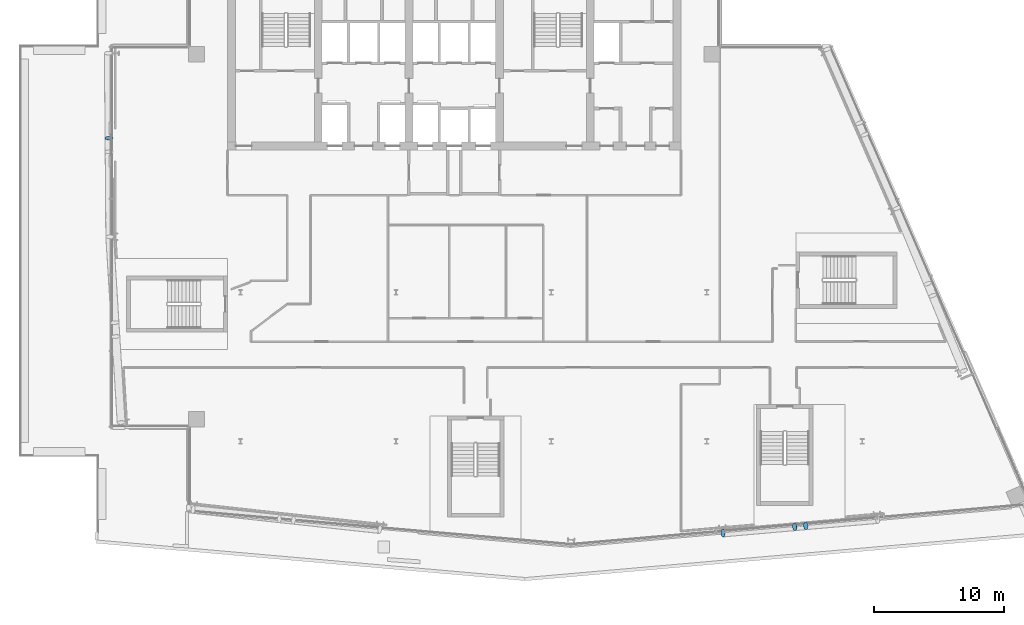
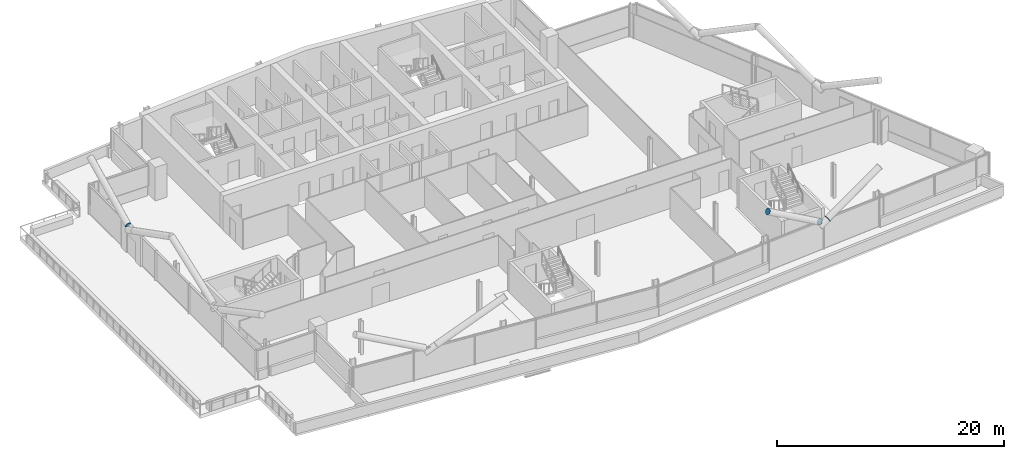
# One storey, part 21 of 27: 4 discrete accessories.
"""IFC4 building model written with IfcOpenShell, lengths in metres."""

from ifc_helpers import new_model, si_unit, direction, frame, origin, origin_2d, place, context, subcontext, project, spatial, circle, extrude, material, material_profile, profile_set, type_object, element, save


model = new_model("IFC4")

# Units and contexts
model_context = context("Model", 3, precision=1e-05, world=origin(), true_north=direction((0.0, 1.0)))
body_context = subcontext(model_context, "Body", "Model", "MODEL_VIEW")
ifc_project = project(units=[si_unit("LENGTHUNIT", "METRE"), si_unit("AREAUNIT", "SQUARE_METRE"), si_unit("VOLUMEUNIT", "CUBIC_METRE"), si_unit("PLANEANGLEUNIT", "RADIAN"), si_unit("MASSUNIT", "GRAM", prefix="KILO")], contexts=[model_context])

# Site, building, storey
site_placement = place(None, origin())
site = spatial("IfcSite", under=ifc_project, at=site_placement, CompositionType="ELEMENT")
building_placement = place(site_placement, origin())
building = spatial("IfcBuilding", under=site, at=building_placement, Name="Wharfspan Tower", CompositionType="ELEMENT")
storey_placement = place(building_placement, frame((0.0, 0.0, 207.100098)))
storey = spatial("IfcBuildingStorey", under=building, at=storey_placement, Name="L51", CompositionType="ELEMENT", Elevation=207.100098)

# Discrete accessories
ifc_material = material(Name="Steel S460NH", Category="steel")
ifc_material_profile = material_profile(ifc_material, circle(Radius=0.304932, at=origin_2d()))
ifc_profile_set = profile_set([ifc_material_profile], Name="Steel S460NH")
discrete_accessory_type = type_object("IfcDiscreteAccessoryType", Name="End plate CHS 610x25", PredefinedType="BRACKET", material=ifc_profile_set)
for number, where, z_axis, x_axis, name in (
    (1, (67.629883, 4.984863, 3.154053), (0.844416, 0.072379, 0.530776), (-0.085402, 0.99635, 0.0), "End plate CHS 610x25"),
    (2, (66.787109, 4.911133, 3.154053), (-0.844416, -0.072379, 0.530776), (0.085402, -0.99635, 0.0), "End plate CHS 610x25"),
    (3, (61.241943, 4.426025, 6.5), (-0.855186, -0.073302, 0.513112), (0.085402, -0.996345, 1e-06), "End plate CHS 610x25"),
    (4, (13.844971, 34.901611, 3.165283), (-0.024296, 0.89897, 0.437337), (-0.999631, -0.027017, 1e-06), "End plate CHS 610x25"),
):
    element("IfcDiscreteAccessory", number, at=place(storey_placement, frame(where, z_axis=z_axis, x_axis=x_axis)), inside=storey, type_object=discrete_accessory_type, Name=name, PredefinedType="BRACKET", context=body_context, shape_type="SweptSolid", body=[
        extrude(circle(Radius=0.304932, at=origin_2d()), origin(), (0.0, 0.0, 1.0), 0.01001),
    ])

save(model, "model.ifc")
